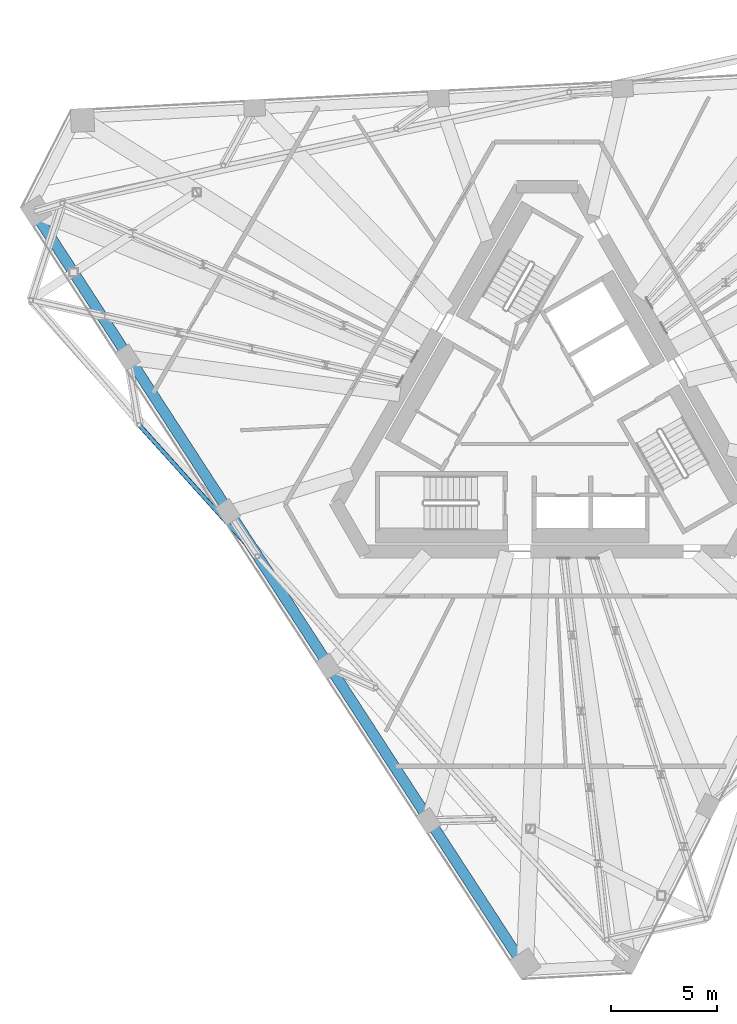
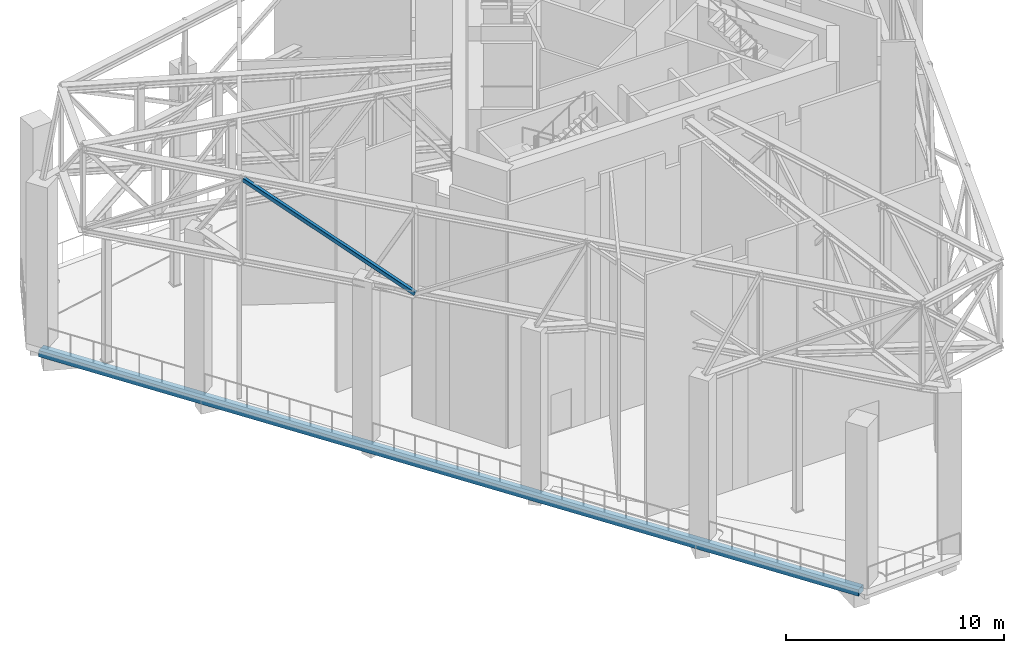
# One storey, part 3 of 23: 1 beam, 1 member.
"""IFC4 building model written with IfcOpenShell, lengths in metres."""

from ifc_helpers import new_model, si_unit, direction, frame, origin, origin_2d, place, context, subcontext, project, spatial, rectangle, hollow_rectangle, extrude, material, material_profile, profile_set, type_object, element, save


model = new_model("IFC4")

# Units and contexts
model_context = context("Model", 3, precision=1e-05, world=origin(), true_north=direction((0.0, 1.0)))
body_context = subcontext(model_context, "Body", "Model", "MODEL_VIEW")
ifc_project = project(units=[si_unit("LENGTHUNIT", "METRE"), si_unit("AREAUNIT", "SQUARE_METRE"), si_unit("VOLUMEUNIT", "CUBIC_METRE"), si_unit("PLANEANGLEUNIT", "RADIAN"), si_unit("MASSUNIT", "GRAM", prefix="KILO")], contexts=[model_context])

# Site, building, storey
site_placement = place(None, origin())
site = spatial("IfcSite", under=ifc_project, at=site_placement, CompositionType="ELEMENT")
building_placement = place(site_placement, origin())
building = spatial("IfcBuilding", under=site, at=building_placement, Name="Tramontana Tower", CompositionType="ELEMENT")
storey_placement = place(building_placement, frame((0.0, 0.0, 306.39990234375)))
storey = spatial("IfcBuildingStorey", under=building, at=storey_placement, Name="L72", CompositionType="ELEMENT", Elevation=306.39990234375)

# Member
ifc_material_1 = material(Name="Steel ASTM A500 Grade C", Category="steel")
ifc_material_profile_1 = material_profile(ifc_material_1, hollow_rectangle(XDim=0.203125, YDim=0.203125, WallThickness=0.0087890625, InnerFilletRadius=0.0087890625, OuterFilletRadius=0.017822265625, at=origin_2d()), Name="HSS8X8X3/8")
ifc_profile_set_1 = profile_set([ifc_material_profile_1], Name="Steel ASTM A500 Grade C")
member_type = type_object("IfcMemberType", Name="Belt truss HSS8X8X3/8 brace", PredefinedType="BRACE", material=ifc_profile_set_1)
member_placement = place(storey_placement, frame((-19.194580078125, -0.501708984375, 13.456298828125), z_axis=(0.585121854295, -0.649830112197, -0.485132189107), x_axis=(0.743137891652, 0.669138307072, 0.0)))
element("IfcMember", 1, at=member_placement, inside=storey, type_object=member_type, Name="Belt truss diagonal S0.2", PredefinedType="BRACE", context=body_context, shape_type="SweptSolid", body=[
    extrude(hollow_rectangle(XDim=0.203125, YDim=0.203125, WallThickness=0.0087890625, InnerFilletRadius=0.0087890625, OuterFilletRadius=0.017822265625, at=origin_2d()), origin(), (0.0, 0.0, 1.0), 9.5078125),
])

# Beam
ifc_material_2 = material(Name="Concrete 40 MPa", Category="concrete")
ifc_material_profile_2 = material_profile(ifc_material_2, rectangle(XDim=0.5, YDim=0.35009765625, at=origin_2d()), Name="RC EDGE BEAM 500X350 40 MPa")
ifc_profile_set_2 = profile_set([ifc_material_profile_2], Name="Concrete 40 MPa")
beam_type = type_object("IfcBeamType", Name="RC EDGE BEAM 500X350 40 MPa", PredefinedType="SPANDREL", material=ifc_profile_set_2)
beam_placement = place(storey_placement, frame((-24.1142578125, 9.499755859375, -0.52490234375), z_axis=(0.544636517119, -0.838672203081, 0.0), x_axis=(0.838672203081, 0.544636517119, 0.0)))
element("IfcBeam", 2, at=beam_placement, inside=storey, type_object=beam_type, Name="Spandrel beam S0 L72", PredefinedType="SPANDREL", context=body_context, shape_type="SweptSolid", body=[
    extrude(rectangle(XDim=0.5, YDim=0.35009765625, at=origin_2d()), origin(), (0.0, 0.0, 1.0), 42.201416015625),
])

save(model, "model.ifc")
